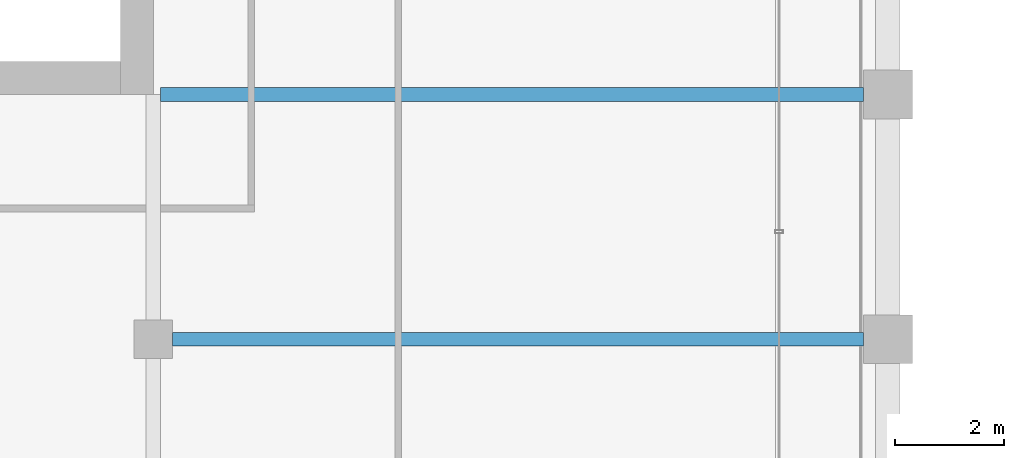
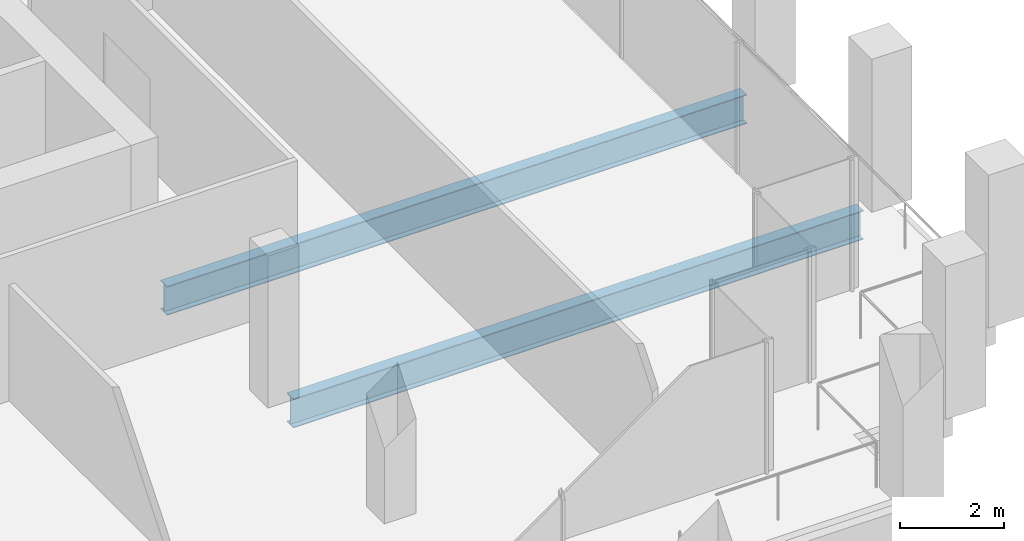
# One storey, part 14 of 40: 2 beams.
"""IFC4 building model written with IfcOpenShell, lengths in metres."""

import ifcopenshell
import ifcopenshell.guid

model = None  # the IFC model being written
_history = None  # IfcOwnerHistory: only IFC2X3 demands one
_inside = {}  # id of a spatial element -> (the spatial element, [elements in it])
_under = {}  # id of a project, library or spatial element -> (it, [spatial elements below it])
_declared = {}  # id of a project -> (the project, [libraries it declares])
_typed = {}  # id of a type object -> (the type object, [elements of that type])
_made_of = {}  # id of a material, layer set ... -> (it, [elements and type objects made of it])


def new_model(schema):
    """Start an empty IFC model of exactly this schema.

    Asked for "IFC4X3", IfcOpenShell would pick the latest addendum, in which some entities
    have other attributes; the version numbers below select the first issue.
    IFC2X3 requires an IfcOwnerHistory on every rooted entity: one is made here for all.
    """
    global model, _history
    if schema == "IFC4X3":
        model = ifcopenshell.file(schema_version=(4, 3, 0, 0))
    else:
        model = ifcopenshell.file(schema=schema)
    _inside.clear()
    _under.clear()
    _declared.clear()
    _typed.clear()
    _made_of.clear()
    _history = None
    if model.schema == "IFC2X3":
        org = make("IfcOrganization", Name="unknown")
        user = make(
            "IfcPersonAndOrganization",
            ThePerson=make("IfcPerson", FamilyName="unknown"),
            TheOrganization=org,
        )
        app = make(
            "IfcApplication",
            ApplicationDeveloper=org,
            Version="unknown",
            ApplicationFullName="unknown",
            ApplicationIdentifier="unknown",
        )
        _history = make(
            "IfcOwnerHistory",
            OwningUser=user,
            OwningApplication=app,
            ChangeAction="ADDED",
            CreationDate=0,
        )
    return model


def make(cls, **values):
    """One entity of the class cls with the attributes given. An attribute that is None is left unset."""
    return model.create_entity(
        cls, **{name: value for name, value in values.items() if value is not None}
    )


def rooted(cls, **values):
    """An entity with a GlobalId (a new one), such as an element, a storey or a relation."""
    return make(cls, GlobalId=ifcopenshell.guid.new(), OwnerHistory=_history, **values)


def si_unit(unit_type, name, prefix=None):
    """IfcSIUnit, for example si_unit("LENGTHUNIT", "METRE", prefix="MILLI")."""
    return make("IfcSIUnit", UnitType=unit_type, Prefix=prefix, Name=name)


def assignment(units):
    """IfcUnitAssignment: the units of a project."""
    return None if units is None else make("IfcUnitAssignment", Units=units)


def point(xyz):
    """IfcCartesianPoint."""
    return None if xyz is None else make("IfcCartesianPoint", Coordinates=xyz)


def direction(xyz):
    """IfcDirection."""
    return None if xyz is None else make("IfcDirection", DirectionRatios=xyz)


def frame(location, z_axis=None, x_axis=None):
    """IfcAxis2Placement3D, a coordinate frame: its origin and axes. An axis left out is left unset."""
    return make(
        "IfcAxis2Placement3D",
        Location=point(location),
        Axis=direction(z_axis),
        RefDirection=direction(x_axis),
    )


def frame_2d(location, x_axis=None):
    """IfcAxis2Placement2D, a coordinate frame in the plane: its origin and x axis."""
    return make(
        "IfcAxis2Placement2D", Location=point(location), RefDirection=direction(x_axis)
    )


def origin():
    """The frame at (0, 0, 0) with its axes left unset."""
    return frame((0.0, 0.0, 0.0))


def origin_2d():
    """The frame at (0, 0) in the plane with its x axis left unset."""
    return frame_2d((0.0, 0.0))


def place(relative_to, where):
    """IfcLocalPlacement: puts the frame where relative to a parent placement (None: the world)."""
    return make(
        "IfcLocalPlacement", PlacementRelTo=relative_to, RelativePlacement=where
    )


def context(
    kind, dimensions, precision=None, world=None, true_north=None, identifier=None
):
    """IfcGeometricRepresentationContext, for example the 3D "Model" context."""
    return make(
        "IfcGeometricRepresentationContext",
        ContextIdentifier=identifier,
        ContextType=kind,
        CoordinateSpaceDimension=dimensions,
        Precision=precision,
        WorldCoordinateSystem=world,
        TrueNorth=true_north,
    )


def subcontext(parent, identifier, kind, view, scale=None):
    """IfcGeometricRepresentationSubContext, for example "Body" below "Model"."""
    return make(
        "IfcGeometricRepresentationSubContext",
        ContextIdentifier=identifier,
        ContextType=kind,
        ParentContext=parent,
        TargetScale=scale,
        TargetView=view,
    )


def project(units=None, contexts=None):
    """IfcProject with its units and contexts."""
    return rooted(
        "IfcProject",
        Name="project",
        RepresentationContexts=contexts,
        UnitsInContext=assignment(units),
    )


def spatial(cls, under=None, at=None, **own):
    """A site, building, storey or space (cls), placed at a placement, below another one or the project."""
    s = rooted(cls, ObjectPlacement=at, **own)
    if under is not None:
        _under.setdefault(under.id(), (under, []))[1].append(s)
    return s


def profile(cls, at=None, kind="AREA", **sizes):
    """A parametric profile (cls). Its sizes go by their IFC names, for example OverallWidth=200.0."""
    return make(cls, ProfileType=kind, Position=at, **sizes)


def i_section(**sizes):
    """IfcIShapeProfileDef."""
    return profile("IfcIShapeProfileDef", **sizes)


def extrude(swept, where, along, depth):
    """IfcExtrudedAreaSolid: the profile swept, set in the frame where, extruded along a direction by depth."""
    return make(
        "IfcExtrudedAreaSolid",
        SweptArea=swept,
        Position=where,
        ExtrudedDirection=direction(along),
        Depth=depth,
    )


def shape(context_of_items, identifier, shape_type, items):
    """IfcShapeRepresentation: the items that make up one representation, for example the "Body"."""
    return make(
        "IfcShapeRepresentation",
        ContextOfItems=context_of_items,
        RepresentationIdentifier=identifier,
        RepresentationType=shape_type,
        Items=items,
    )


def material(Name=None, Category=None):
    """IfcMaterial."""
    return make("IfcMaterial", Name=Name, Category=Category)


def material_profile(
    of_material, cross_section, Name=None, Category=None, Priority=None
):
    """IfcMaterialProfile: a cross section and its material."""
    return make(
        "IfcMaterialProfile",
        Name=Name,
        Material=of_material,
        Profile=cross_section,
        Priority=Priority,
        Category=Category,
    )


def profile_set(profiles, Name=None, composite=None):
    """IfcMaterialProfileSet."""
    return make(
        "IfcMaterialProfileSet",
        Name=Name,
        MaterialProfiles=profiles,
        CompositeProfile=composite,
    )


def made_of(thing, what):
    """Note that an element or type object is made of a material, layer set ...; save() writes the relation."""
    if what is not None:
        _made_of.setdefault(what.id(), (what, []))[1].append(thing)
    return thing


def type_object(cls, material=None, **own):
    """A type object (cls), such as IfcWallType, which elements share."""
    return made_of(rooted(cls, **own), material)


def element(
    cls,
    number,
    at=None,
    inside=None,
    cuts=None,
    type_object=None,
    material=None,
    context=None,
    identifier="Body",
    shape_type=None,
    held_by="IfcProductDefinitionShape",
    body=None,
    shapes=None,
    **own,
):
    """One element of the class cls, such as IfcWall. Its Tag is "e" and its number.

    at: its placement. inside: the storey or other place that contains it. cuts: it is an
    opening in that element (IfcRelVoidsElement). A single representation is given by context,
    identifier, shape_type and body (its items); several are given by shapes. held_by: the class
    of the entity that holds the representations. save() writes the other relations.
    """
    e = rooted(cls, Tag="e%d" % number, ObjectPlacement=at, **own)
    if body is not None:
        shapes = [shape(context, identifier, shape_type, body)]
    if shapes is not None:
        e.Representation = make(held_by, Representations=shapes)
    if inside is not None:
        _inside.setdefault(inside.id(), (inside, []))[1].append(e)
    if cuts is not None:
        rooted(
            "IfcRelVoidsElement", RelatingBuildingElement=cuts, RelatedOpeningElement=e
        )
    if type_object is not None:
        _typed.setdefault(type_object.id(), (type_object, []))[1].append(e)
    return made_of(e, material)


def aggregate(whole, parts):
    """IfcRelAggregates: a whole, such as a stair, and the parts it consists of."""
    return rooted("IfcRelAggregates", RelatingObject=whole, RelatedObjects=parts)


def save(model, path):
    """Write the relations noted so far, then the file.

    IfcRelAggregates (storeys below a building ...), IfcRelContainedInSpatialStructure (elements
    in a storey), IfcRelDefinesByType, IfcRelAssociatesMaterial and IfcRelDeclares: one each for
    every whole, place, type object, material and project.
    """
    for whole, parts in _under.values():
        aggregate(whole, parts)
    for where, things in _inside.values():
        rooted(
            "IfcRelContainedInSpatialStructure",
            RelatedElements=things,
            RelatingStructure=where,
        )
    for kind, things in _typed.values():
        rooted("IfcRelDefinesByType", RelatedObjects=things, RelatingType=kind)
    for what, things in _made_of.values():
        rooted("IfcRelAssociatesMaterial", RelatedObjects=things, RelatingMaterial=what)
    for by, libraries in _declared.values():
        rooted("IfcRelDeclares", RelatingContext=by, RelatedDefinitions=libraries)
    model.write(path)


model = new_model("IFC4")

# Units and contexts
model_context = context("Model", 3, precision=1e-05, world=origin(), true_north=direction((0.0, 1.0)))
body_context = subcontext(model_context, "Body", "Model", "MODEL_VIEW")
ifc_project = project(units=[si_unit("LENGTHUNIT", "METRE"), si_unit("AREAUNIT", "SQUARE_METRE"), si_unit("VOLUMEUNIT", "CUBIC_METRE"), si_unit("PLANEANGLEUNIT", "RADIAN"), si_unit("MASSUNIT", "GRAM", prefix="KILO")], contexts=[model_context])

# Site, building, storey
site_placement = place(None, origin())
site = spatial("IfcSite", under=ifc_project, at=site_placement, CompositionType="ELEMENT")
building_placement = place(site_placement, origin())
building = spatial("IfcBuilding", under=site, at=building_placement, Name="Altepetl Exchange Towers", CompositionType="ELEMENT")
storey_placement = place(building_placement, frame((0.0, 0.0, 158.199951171875)))
storey = spatial("IfcBuildingStorey", under=building, at=storey_placement, Name="L39", CompositionType="ELEMENT", Elevation=158.199951171875)

# Beams
ifc_material = material(Name="Steel S355", Category="steel")
ifc_material_profile = material_profile(ifc_material, i_section(OverallWidth=0.25390625, OverallDepth=0.68408203125, WebThickness=0.012451171875, FlangeThickness=0.018798828125, at=origin_2d()), Name="W27X94")
ifc_profile_set = profile_set([ifc_material_profile], Name="Steel S355")
beam_type = type_object("IfcBeamType", Name="Floor beam W27X94", PredefinedType="BEAM", material=ifc_profile_set)
beam_1_placement = place(storey_placement, frame((58.85009765625, 36.0, -0.491943359375), z_axis=(1.0, 0.0, 0.0), x_axis=(0.0, 1.0, 0.0)))
element("IfcBeam", 1, at=beam_1_placement, inside=storey, type_object=beam_type, Name="bm:A:L39:007", PredefinedType="BEAM", context=body_context, shape_type="SweptSolid", body=[
    extrude(i_section(OverallWidth=0.25390625, OverallDepth=0.68408203125, WebThickness=0.012451171875, FlangeThickness=0.018798828125, at=origin_2d()), origin(), (0.0, 0.0, 1.0), 12.699951171875),
])
beam_2_placement = place(storey_placement, frame((58.634033203125, 40.5, -0.491943359375), z_axis=(1.0, 0.0, 0.0), x_axis=(0.0, 1.0, 0.0)))
element("IfcBeam", 2, at=beam_2_placement, inside=storey, type_object=beam_type, Name="bm:A:L39:008", PredefinedType="BEAM", context=body_context, shape_type="SweptSolid", body=[
    extrude(i_section(OverallWidth=0.25390625, OverallDepth=0.68408203125, WebThickness=0.012451171875, FlangeThickness=0.018798828125, at=origin_2d()), origin(), (0.0, 0.0, 1.0), 12.916015625),
])

save(model, "model.ifc")
